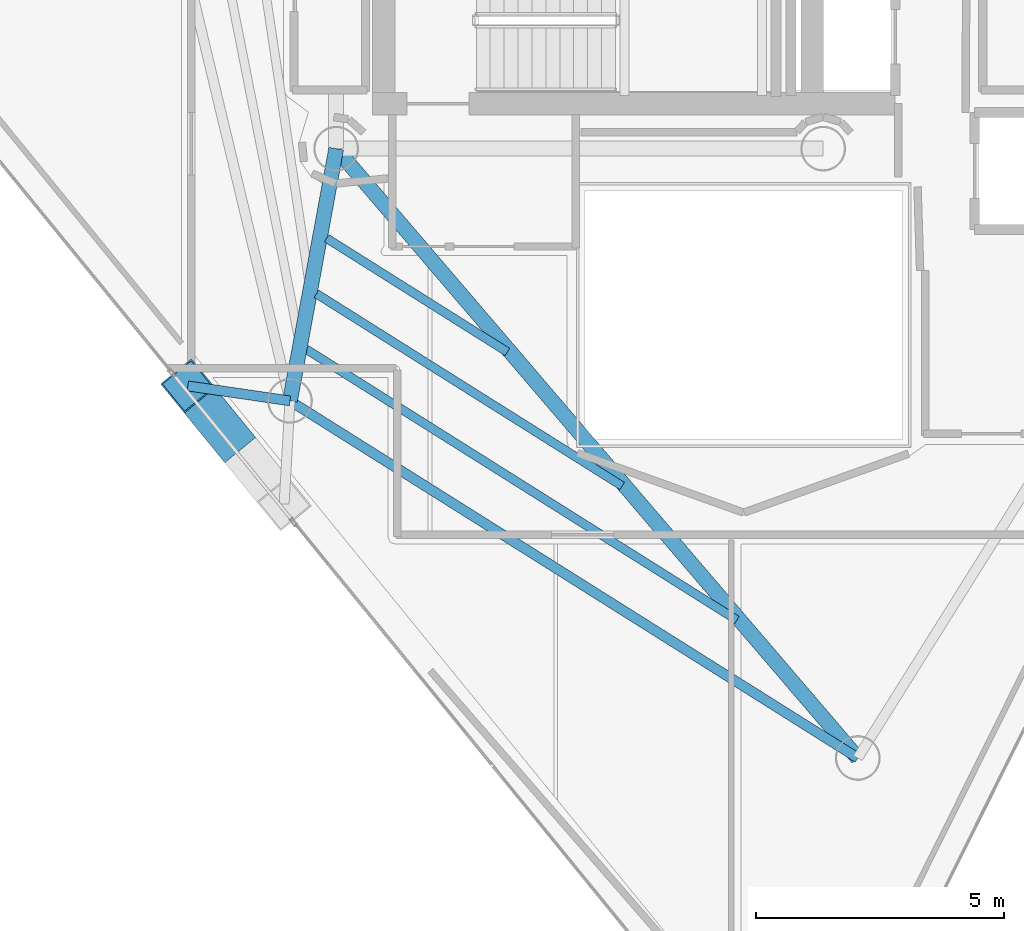
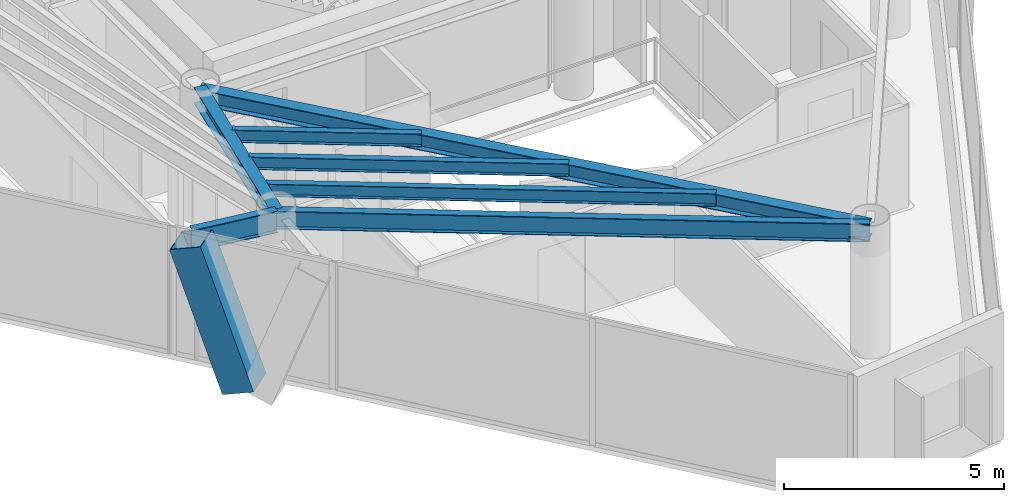
# One storey, part 3 of 23: 7 beams, 1 member.
"""IFC4 building model written with IfcOpenShell, lengths in metres."""

from ifc_helpers import new_model, si_unit, direction, frame, origin, origin_2d, place, context, subcontext, project, spatial, hollow_rectangle, i_section, extrude, material, material_profile, profile_set, type_object, element, save


model = new_model("IFC4")

# Units and contexts
model_context = context("Model", 3, precision=1e-05, world=origin(), true_north=direction((0.0, 1.0)))
body_context = subcontext(model_context, "Body", "Model", "MODEL_VIEW")
ifc_project = project(units=[si_unit("LENGTHUNIT", "METRE"), si_unit("AREAUNIT", "SQUARE_METRE"), si_unit("VOLUMEUNIT", "CUBIC_METRE"), si_unit("PLANEANGLEUNIT", "RADIAN"), si_unit("MASSUNIT", "GRAM", prefix="KILO")], contexts=[model_context])

# Site, building, storey
site_placement = place(None, origin())
site = spatial("IfcSite", under=ifc_project, at=site_placement, CompositionType="ELEMENT")
building_placement = place(site_placement, origin())
building = spatial("IfcBuilding", under=site, at=building_placement, Name="Qianvela Tower", CompositionType="ELEMENT")
storey_placement = place(building_placement, frame((0.0, 0.0, 313.89990234375)))
storey = spatial("IfcBuildingStorey", under=building, at=storey_placement, Name="L81", CompositionType="ELEMENT", Elevation=313.89990234375)

# Beams
ifc_material_1 = material(Name="Steel Q355B", Category="steel")
ifc_material_profile_1 = material_profile(ifc_material_1, i_section(OverallWidth=0.300048828125, OverallDepth=0.43994140625, WebThickness=0.010986328125, FlangeThickness=0.01806640625, at=origin_2d()), Name="HM440x300x11x18")
ifc_profile_set_1 = profile_set([ifc_material_profile_1], Name="Steel Q355B")
beam_type_1 = type_object("IfcBeamType", Name="BM-HM440-COLL", PredefinedType="BEAM", material=ifc_profile_set_1)
beam_1_placement = place(storey_placement, frame((28.60009765625, 23.85009765625, 3.298095703125), z_axis=(-0.180242432023, -0.983622216961, 0.0), x_axis=(0.983622216961, -0.180242432023, 0.0)))
element("IfcBeam", 1, at=beam_1_placement, inside=storey, type_object=beam_type_1, Name="L81 Radial Primary Floor Girder 4", PredefinedType="BEAM", context=body_context, shape_type="SweptSolid", body=[
    extrude(i_section(OverallWidth=0.300048828125, OverallDepth=0.43994140625, WebThickness=0.010986328125, FlangeThickness=0.01806640625, at=origin_2d()), origin(), (0.0, 0.0, 1.0), 5.16064453125),
])
beam_2_placement = place(storey_placement, frame((28.60009765625, 23.85009765625, 3.298095703125), z_axis=(0.650269293807, -0.75970378802, 0.0), x_axis=(0.75970378802, 0.650269293807, 0.0)))
element("IfcBeam", 2, at=beam_2_placement, inside=storey, type_object=beam_type_1, Name="L81 Radial Primary Floor Girder 5", PredefinedType="BEAM", context=body_context, shape_type="SweptSolid", body=[
    extrude(i_section(OverallWidth=0.300048828125, OverallDepth=0.43994140625, WebThickness=0.010986328125, FlangeThickness=0.01806640625, at=origin_2d()), origin(), (0.0, 0.0, 1.0), 16.140869140625),
])
ifc_material_2 = material(Name="Steel Q355B", Category="steel")
ifc_material_profile_2 = material_profile(ifc_material_2, i_section(OverallWidth=0.175048828125, OverallDepth=0.35009765625, WebThickness=0.007080078125, FlangeThickness=0.010986328125, at=origin_2d()), Name="HN350x175x7x11")
ifc_profile_set_2 = profile_set([ifc_material_profile_2], Name="Steel Q355B")
beam_type_2 = type_object("IfcBeamType", Name="BM-HN350-JOIST", PredefinedType="JOIST", material=ifc_profile_set_2)
beam_3_placement = place(storey_placement, frame((28.407470703125, 22.04638671875, 3.343017578125), z_axis=(0.846501223135, -0.532386775973, 0.0), x_axis=(0.532386775973, 0.846501223135, 0.0)))
element("IfcBeam", 3, at=beam_3_placement, inside=storey, type_object=beam_type_2, Name="L81 Secondary Composite Floor Joist 4.1", PredefinedType="JOIST", context=body_context, shape_type="SweptSolid", body=[
    extrude(i_section(OverallWidth=0.175048828125, OverallDepth=0.35009765625, WebThickness=0.007080078125, FlangeThickness=0.010986328125, at=origin_2d()), origin(), (0.0, 0.0, 1.0), 4.29736328125),
])
beam_4_placement = place(storey_placement, frame((28.202880859375, 20.9296875, 3.343017578125), z_axis=(0.846507641225, -0.532376570998, 0.0), x_axis=(0.532376570998, 0.846507641225, 0.0)))
element("IfcBeam", 4, at=beam_4_placement, inside=storey, type_object=beam_type_2, Name="L81 Secondary Composite Floor Joist 4.2", PredefinedType="JOIST", context=body_context, shape_type="SweptSolid", body=[
    extrude(i_section(OverallWidth=0.175048828125, OverallDepth=0.35009765625, WebThickness=0.007080078125, FlangeThickness=0.010986328125, at=origin_2d()), origin(), (0.0, 0.0, 1.0), 7.266845703125),
])
beam_5_placement = place(storey_placement, frame((27.998291015625, 19.81298828125, 3.343017578125), z_axis=(0.846499587038, -0.532389377377, 0.0), x_axis=(0.532389377377, 0.846499587038, 0.0)))
element("IfcBeam", 5, at=beam_5_placement, inside=storey, type_object=beam_type_2, Name="L81 Secondary Composite Floor Joist 4.3", PredefinedType="JOIST", context=body_context, shape_type="SweptSolid", body=[
    extrude(i_section(OverallWidth=0.175048828125, OverallDepth=0.35009765625, WebThickness=0.007080078125, FlangeThickness=0.010986328125, at=origin_2d()), origin(), (0.0, 0.0, 1.0), 10.236328125),
])
ifc_material_3 = material(Name="Steel Q355B", Category="steel")
ifc_material_profile_3 = material_profile(ifc_material_3, i_section(OverallWidth=0.199951171875, OverallDepth=0.5, WebThickness=0.010009765625, FlangeThickness=0.01611328125, at=origin_2d()), Name="HN500x200x10x16")
ifc_profile_set_3 = profile_set([ifc_material_profile_3], Name="Steel Q355B")
beam_type_3 = type_object("IfcBeamType", Name="BM-HN500-GIRD", PredefinedType="BEAM", material=ifc_profile_set_3)
beam_6_placement = place(storey_placement, frame((27.669921875, 18.77392578125, 3.26806640625), z_axis=(0.846504270846, -0.532381930046, 0.0), x_axis=(0.532381930046, 0.846504270846, 0.0)))
element("IfcBeam", 6, at=beam_6_placement, inside=storey, type_object=beam_type_3, Name="L81 Perimeter Ring Spandrel Girder 4", PredefinedType="BEAM", context=body_context, shape_type="SweptSolid", body=[
    extrude(i_section(OverallWidth=0.199951171875, OverallDepth=0.5, WebThickness=0.010009765625, FlangeThickness=0.01611328125, at=origin_2d()), origin(), (0.0, 0.0, 1.0), 13.497802734375),
])
ifc_material_4 = material(Name="Steel Q355B", Category="steel")
ifc_material_profile_4 = material_profile(ifc_material_4, i_section(OverallWidth=0.199951171875, OverallDepth=0.60009765625, WebThickness=0.010986328125, FlangeThickness=0.01708984375, at=origin_2d()), Name="HN600x200x11x17")
ifc_profile_set_4 = profile_set([ifc_material_profile_4], Name="Steel Q355B")
beam_type_4 = type_object("IfcBeamType", Name="BM-HN600-GIRD", PredefinedType="BEAM", material=ifc_profile_set_4)
beam_7_placement = place(storey_placement, frame((27.669921875, 18.77392578125, 3.218017578125), z_axis=(-0.989408838257, 0.145155608844, 0.0), x_axis=(-0.145155608844, -0.989408838257, 0.0)))
element("IfcBeam", 7, at=beam_7_placement, inside=storey, type_object=beam_type_4, Name="L81 Mega-Brace Column Tie Bracket F2-1", PredefinedType="BEAM", context=body_context, shape_type="SweptSolid", body=[
    extrude(i_section(OverallWidth=0.199951171875, OverallDepth=0.60009765625, WebThickness=0.010986328125, FlangeThickness=0.01708984375, at=origin_2d()), origin(), (0.0, 0.0, 1.0), 2.0771484375),
])

# Member
ifc_material_5 = material(Name="Steel Q420GJC", Category="steel")
ifc_material_profile_5 = material_profile(ifc_material_5, hollow_rectangle(XDim=0.800048828125, YDim=0.800048828125, WallThickness=0.028076171875, at=origin_2d()), Name="MBOX-800x800x28")
ifc_profile_set_5 = profile_set([ifc_material_profile_5], Name="Steel Q420GJC")
member_type = type_object("IfcMemberType", Name="MBR-MBRACE-800", PredefinedType="BRACE", material=ifc_profile_set_5)
member_placement = place(storey_placement, frame((26.428955078125, 18.076904296875, -0.48193359375), z_axis=(-0.20781968797, 0.254867323477, 0.944380021345), x_axis=(-0.775011548905, -0.631947069828, 0.0)))
element("IfcMember", 8, at=member_placement, inside=storey, type_object=member_type, Name="L81 Tier 13 Exterior Mega-Brace F2A", PredefinedType="BRACE", context=body_context, shape_type="SweptSolid", body=[
    extrude(hollow_rectangle(XDim=0.800048828125, YDim=0.800048828125, WallThickness=0.028076171875, at=origin_2d()), origin(), (0.0, 0.0, 1.0), 3.91796875),
])

save(model, "model.ifc")
